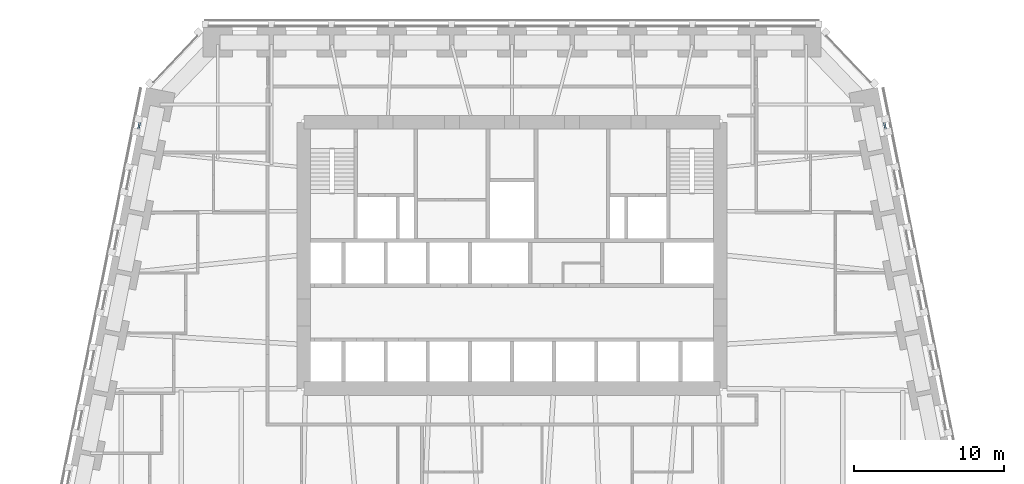
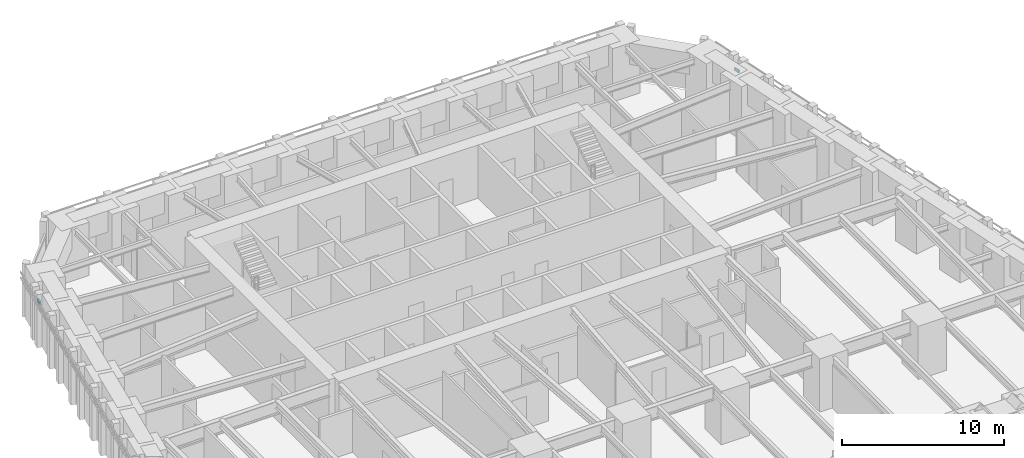
# One storey, part 6 of 17: 2 members, 2 elements without a shape of their own.
"""IFC4 building model written with IfcOpenShell, lengths in metres."""

from ifc_helpers import new_model, si_unit, direction, frame, origin, origin_2d, place, context, subcontext, project, spatial, rectangle, extrude, material, material_profile, profile_set, type_object, element, aggregate, save


model = new_model("IFC4")

# Units and contexts
model_context = context("Model", 3, precision=1e-05, world=origin(), true_north=direction((0.0, 1.0)))
body_context = subcontext(model_context, "Body", "Model", "MODEL_VIEW")
ifc_project = project(units=[si_unit("LENGTHUNIT", "METRE"), si_unit("AREAUNIT", "SQUARE_METRE"), si_unit("VOLUMEUNIT", "CUBIC_METRE"), si_unit("PLANEANGLEUNIT", "RADIAN"), si_unit("MASSUNIT", "GRAM", prefix="KILO")], contexts=[model_context])

# Site, building, storey
site_placement = place(None, origin())
site = spatial("IfcSite", under=ifc_project, at=site_placement, CompositionType="ELEMENT")
building_placement = place(site_placement, origin())
building = spatial("IfcBuilding", under=site, at=building_placement, Name="Isbrekke Arena Tower", CompositionType="ELEMENT")
storey_placement = place(building_placement, frame((0.0, 0.0, 48.0)))
storey = spatial("IfcBuildingStorey", under=building, at=storey_placement, Name="L09", CompositionType="ELEMENT", Elevation=48.0)

# Curtain wall, member
ifc_material_1 = material(Name="Glazed aluminium curtain wall", Category="aluminium")
curtain_wall_type = type_object("IfcCurtainWallType", Name="CWL TOWER CURTAIN WALL LOW ZONE", PredefinedType="USERDEFINED", material=ifc_material_1)
curtain_wall_1_placement = place(storey_placement, origin())
curtain_wall_1 = element("IfcCurtainWall", 1, at=curtain_wall_1_placement, inside=storey, type_object=curtain_wall_type, Name="CWL curtain wall L09-E19", ObjectType="TOWER CURTAIN WALL LOW ZONE", PredefinedType="USERDEFINED")
ifc_material_2 = material(Name="Aluminium transom", Category="aluminium")
ifc_material_profile = material_profile(ifc_material_2, rectangle(XDim=0.1201171875, YDim=0.199951171875, at=origin_2d()), Name="TRANSOM 120X200")
ifc_profile_set = profile_set([ifc_material_profile], Name="Aluminium transom")
member_type = type_object("IfcMemberType", Name="CWL-T TRANSOM 120 x 200", PredefinedType="USERDEFINED", material=ifc_profile_set)
member_1_placement = place(storey_placement, frame((24.843017578125, 23.421875, 3.0), z_axis=(-0.196000512897, 0.98060379305, 0.0), x_axis=(-0.98060379305, -0.196000512897, 0.0)))
member_1 = element("IfcMember", 2, at=member_1_placement, type_object=member_type, Name="CWL-T transom 1", ObjectType="TRANSOM", PredefinedType="USERDEFINED", context=body_context, shape_type="SweptSolid", body=[
    extrude(rectangle(XDim=0.1201171875, YDim=0.199951171875, at=origin_2d()), origin(), (0.0, 0.0, 1.0), 0.406005859375),
])
aggregate(curtain_wall_1, [member_1])

curtain_wall_2_placement = place(storey_placement, origin())
curtain_wall_2 = element("IfcCurtainWall", 3, at=curtain_wall_2_placement, inside=storey, type_object=curtain_wall_type, Name="CWL curtain wall L09-W", ObjectType="TOWER CURTAIN WALL LOW ZONE", PredefinedType="USERDEFINED")
member_2_placement = place(storey_placement, frame((-24.763427734375, 23.820068359375, 3.0), z_axis=(-0.196000512897, -0.98060379305, 0.0), x_axis=(0.98060379305, -0.196000512897, 0.0)))
member_2 = element("IfcMember", 4, at=member_2_placement, type_object=member_type, Name="CWL-T transom 1", ObjectType="TRANSOM", PredefinedType="USERDEFINED", context=body_context, shape_type="SweptSolid", body=[
    extrude(rectangle(XDim=0.1201171875, YDim=0.199951171875, at=origin_2d()), origin(), (0.0, 0.0, 1.0), 0.406005859375),
])
aggregate(curtain_wall_2, [member_2])

save(model, "model.ifc")
